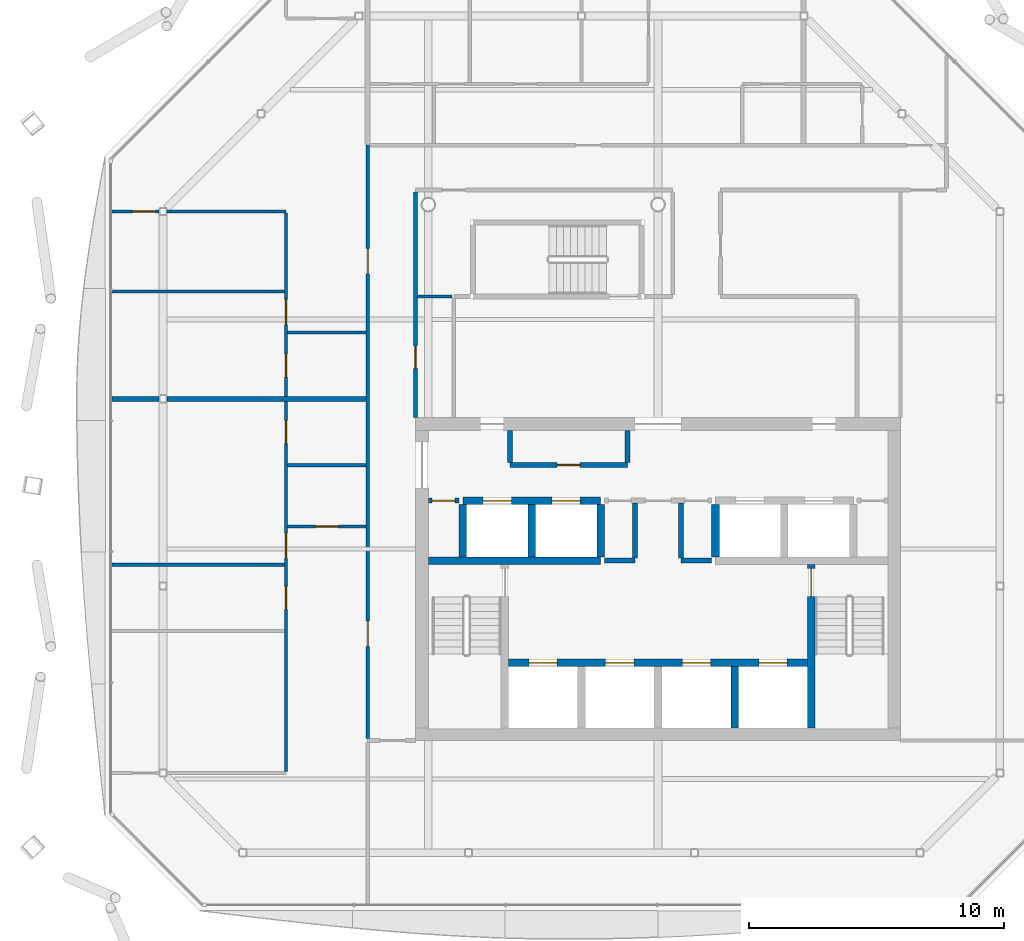
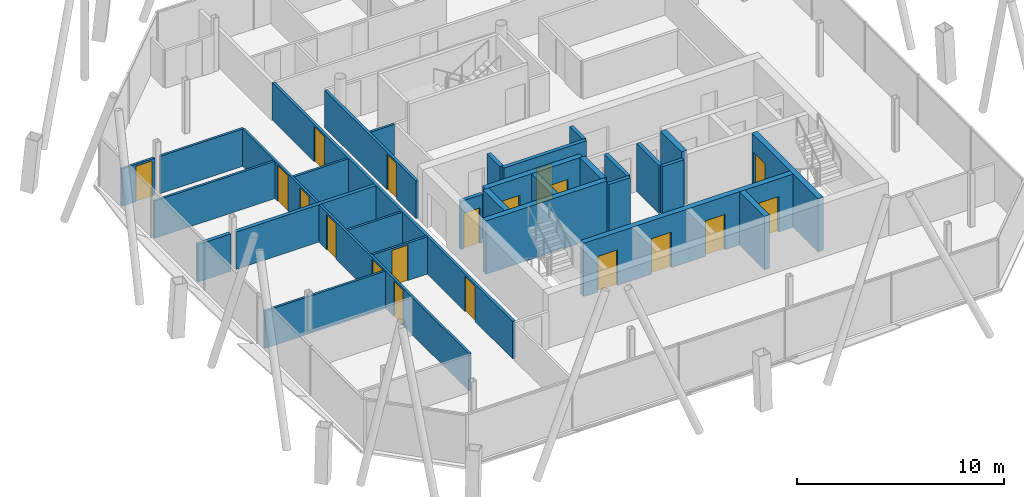
# One storey, part 12 of 17: 30 walls, 19 doors, 19 openings.
"""IFC4 building model written with IfcOpenShell, lengths in metres."""

from ifc_helpers import new_model, si_unit, direction, frame, frame_2d, origin, place, context, subcontext, project, spatial, rectangle, extrude, material, layer, layer_set, type_object, element, fill, save


model = new_model("IFC4")

# Units and contexts
model_context = context("Model", 3, precision=1e-05, world=origin(), true_north=direction((0.0, 1.0)))
body_context = subcontext(model_context, "Body", "Model", "MODEL_VIEW")
ifc_project = project(units=[si_unit("LENGTHUNIT", "METRE"), si_unit("AREAUNIT", "SQUARE_METRE"), si_unit("VOLUMEUNIT", "CUBIC_METRE"), si_unit("PLANEANGLEUNIT", "RADIAN"), si_unit("MASSUNIT", "GRAM", prefix="KILO")], contexts=[model_context])

# Site, building, storey
site_placement = place(None, origin())
site = spatial("IfcSite", under=ifc_project, at=site_placement, CompositionType="ELEMENT")
building_placement = place(site_placement, origin())
building = spatial("IfcBuilding", under=site, at=building_placement, Name="Tskaro Facet Tower", CompositionType="ELEMENT")
storey_placement = place(building_placement, frame((0.0, 0.0, 226.64990234375)))
storey = spatial("IfcBuildingStorey", under=building, at=storey_placement, Name="L58", CompositionType="ELEMENT", Elevation=226.64990234375)

# Wall, openings, doors
ifc_material_1 = material(Name="Concrete C60/75", Category="concrete")
ifc_layer_1 = layer(ifc_material_1, 0.300048828125, Name="Concrete C60/75")
ifc_layer_set_1 = layer_set([ifc_layer_1], Name="Concrete C60/75")
wall_type_1 = type_object("IfcWallType", Name="CORE-SHAFT", PredefinedType="SHEAR", material=ifc_layer_set_1)
wall_1_placement = place(storey_placement, frame((-5.85009765625, -8.949951171875, 0.0), z_axis=(0.0, 0.0, 1.0), x_axis=(1.0, 0.0, 0.0)))
wall_1 = element("IfcWall", 1, at=wall_1_placement, inside=storey, type_object=wall_type_1, Name="Shaft wall W005", PredefinedType="SHEAR", context=body_context, shape_type="SweptSolid", body=[
    extrude(rectangle(XDim=11.7001953125, YDim=0.300048828125, at=frame_2d((5.85009765625, 0.0))), origin(), (0.0, 0.0, 1.0), 3.150146484375),
])
opening_1_placement = place(wall_1_placement, frame((0.800048828125, 0.0, 0.0)))
opening_1 = element("IfcOpeningElement", 2, at=opening_1_placement, cuts=wall_1, Name="Opening LD-FF1", PredefinedType="OPENING", context=body_context, shape_type="SweptSolid", body=[
    extrude(rectangle(XDim=1.10009765625, YDim=2.10009765625, at=frame_2d((0.550048828125, 1.050048828125))), frame((0.0, 0.159912109375, 0.0), z_axis=(0.0, -1.0, 0.0), x_axis=(1.0, 0.0, 0.0)), (0.0, 0.0, 1.0), 0.320068359375),
])
opening_2_placement = place(wall_1_placement, frame((3.800048828125, 0.0, 0.0)))
opening_2 = element("IfcOpeningElement", 3, at=opening_2_placement, cuts=wall_1, Name="Opening LD-FF2", PredefinedType="OPENING", context=body_context, shape_type="SweptSolid", body=[
    extrude(rectangle(XDim=1.10009765625, YDim=2.10009765625, at=frame_2d((0.550048828125, 1.050048828125))), frame((0.0, 0.159912109375, 0.0), z_axis=(0.0, -1.0, 0.0), x_axis=(1.0, 0.0, 0.0)), (0.0, 0.0, 1.0), 0.320068359375),
])
opening_3_placement = place(wall_1_placement, frame((6.800048828125, 0.0, 0.0)))
opening_3 = element("IfcOpeningElement", 4, at=opening_3_placement, cuts=wall_1, Name="Opening LD-SV1", PredefinedType="OPENING", context=body_context, shape_type="SweptSolid", body=[
    extrude(rectangle(XDim=1.10009765625, YDim=2.10009765625, at=frame_2d((0.550048828125, 1.050048828125))), frame((0.0, 0.159912109375, 0.0), z_axis=(0.0, -1.0, 0.0), x_axis=(1.0, 0.0, 0.0)), (0.0, 0.0, 1.0), 0.320068359375),
])
opening_4_placement = place(wall_1_placement, frame((9.800048828125, 0.0, 0.0)))
opening_4 = element("IfcOpeningElement", 5, at=opening_4_placement, cuts=wall_1, Name="Opening LD-SV2", PredefinedType="OPENING", context=body_context, shape_type="SweptSolid", body=[
    extrude(rectangle(XDim=1.10009765625, YDim=2.10009765625, at=frame_2d((0.550048828125, 1.050048828125))), frame((0.0, 0.159912109375, 0.0), z_axis=(0.0, -1.0, 0.0), x_axis=(1.0, 0.0, 0.0)), (0.0, 0.0, 1.0), 0.320068359375),
])
ifc_material_2 = material(Name="Stainless steel", Category="steel")
door_type_1 = type_object("IfcDoorType", Name="D-LANDING", OperationType="NOTDEFINED", PredefinedType="DOOR", material=ifc_material_2)
door_1_placement = place(opening_1_placement, origin())
door_1 = element("IfcDoor", 6, at=door_1_placement, inside=storey, type_object=door_type_1, Name="Landing door FF1", OperationType="DOUBLE_DOOR_SLIDING", OverallHeight=2.10009765625, OverallWidth=1.10009765625, PredefinedType="DOOR", context=body_context, shape_type="SweptSolid", body=[
    extrude(rectangle(XDim=1.10009765625, YDim=2.10009765625, at=frame_2d((0.550048828125, 1.050048828125))), frame((0.0, 0.02490234375, 0.0), z_axis=(0.0, -1.0, 0.0), x_axis=(1.0, 0.0, 0.0)), (0.0, 0.0, 1.0), 0.050048828125),
])
fill(opening_1, door_1)
door_2_placement = place(opening_2_placement, origin())
door_2 = element("IfcDoor", 7, at=door_2_placement, inside=storey, type_object=door_type_1, Name="Landing door FF2", OperationType="DOUBLE_DOOR_SLIDING", OverallHeight=2.10009765625, OverallWidth=1.10009765625, PredefinedType="DOOR", context=body_context, shape_type="SweptSolid", body=[
    extrude(rectangle(XDim=1.10009765625, YDim=2.10009765625, at=frame_2d((0.550048828125, 1.050048828125))), frame((0.0, 0.02490234375, 0.0), z_axis=(0.0, -1.0, 0.0), x_axis=(1.0, 0.0, 0.0)), (0.0, 0.0, 1.0), 0.050048828125),
])
fill(opening_2, door_2)
door_3_placement = place(opening_3_placement, origin())
door_3 = element("IfcDoor", 8, at=door_3_placement, inside=storey, type_object=door_type_1, Name="Landing door SV1", OperationType="DOUBLE_DOOR_SLIDING", OverallHeight=2.10009765625, OverallWidth=1.10009765625, PredefinedType="DOOR", context=body_context, shape_type="SweptSolid", body=[
    extrude(rectangle(XDim=1.10009765625, YDim=2.10009765625, at=frame_2d((0.550048828125, 1.050048828125))), frame((0.0, 0.02490234375, 0.0), z_axis=(0.0, -1.0, 0.0), x_axis=(1.0, 0.0, 0.0)), (0.0, 0.0, 1.0), 0.050048828125),
])
fill(opening_3, door_3)
door_4_placement = place(opening_4_placement, origin())
door_4 = element("IfcDoor", 9, at=door_4_placement, inside=storey, type_object=door_type_1, Name="Landing door SV2", OperationType="DOUBLE_DOOR_SLIDING", OverallHeight=2.10009765625, OverallWidth=1.10009765625, PredefinedType="DOOR", context=body_context, shape_type="SweptSolid", body=[
    extrude(rectangle(XDim=1.10009765625, YDim=2.10009765625, at=frame_2d((0.550048828125, 1.050048828125))), frame((0.0, 0.02490234375, 0.0), z_axis=(0.0, -1.0, 0.0), x_axis=(1.0, 0.0, 0.0)), (0.0, 0.0, 1.0), 0.050048828125),
])
fill(opening_4, door_4)

# Wall
wall_2_placement = place(storey_placement, frame((-9.0, -4.949951171875, 0.0), z_axis=(0.0, 0.0, 1.0), x_axis=(1.0, 0.0, 0.0)))
element("IfcWall", 10, at=wall_2_placement, inside=storey, type_object=wall_type_1, Name="Shaft wall W008", PredefinedType="SHEAR", context=body_context, shape_type="SweptSolid", body=[
    extrude(rectangle(XDim=6.75, YDim=0.300048828125, at=frame_2d((3.375, 0.0))), origin(), (0.0, 0.0, 1.0), 3.150146484375),
])

# Wall, openings, doors
wall_3_placement = place(storey_placement, frame((-7.64990234375, -2.60009765625, 0.0), z_axis=(0.0, 0.0, 1.0), x_axis=(1.0, 0.0, 0.0)))
wall_3 = element("IfcWall", 11, at=wall_3_placement, inside=storey, type_object=wall_type_1, Name="Shaft wall W014", PredefinedType="SHEAR", context=body_context, shape_type="SweptSolid", body=[
    extrude(rectangle(XDim=5.39990234375, YDim=0.300048828125, at=frame_2d((2.699951171875, 0.0))), origin(), (0.0, 0.0, 1.0), 3.150146484375),
])
opening_5_placement = place(wall_3_placement, frame((0.800048828125, 0.0, 0.0)))
opening_5 = element("IfcOpeningElement", 12, at=opening_5_placement, cuts=wall_3, Name="Opening LD-HB1", PredefinedType="OPENING", context=body_context, shape_type="SweptSolid", body=[
    extrude(rectangle(XDim=1.10009765625, YDim=2.10009765625, at=frame_2d((0.550048828125, 1.050048828125))), frame((0.0, 0.159912109375, 0.0), z_axis=(0.0, -1.0, 0.0), x_axis=(1.0, 0.0, 0.0)), (0.0, 0.0, 1.0), 0.320068359375),
])
opening_6_placement = place(wall_3_placement, frame((3.5, 0.0, 0.0)))
opening_6 = element("IfcOpeningElement", 13, at=opening_6_placement, cuts=wall_3, Name="Opening LD-HB2", PredefinedType="OPENING", context=body_context, shape_type="SweptSolid", body=[
    extrude(rectangle(XDim=1.10009765625, YDim=2.10009765625, at=frame_2d((0.550048828125, 1.050048828125))), frame((0.0, 0.159912109375, 0.0), z_axis=(0.0, -1.0, 0.0), x_axis=(1.0, 0.0, 0.0)), (0.0, 0.0, 1.0), 0.320068359375),
])
door_5_placement = place(opening_5_placement, origin())
door_5 = element("IfcDoor", 14, at=door_5_placement, inside=storey, type_object=door_type_1, Name="Landing door HB1", OperationType="DOUBLE_DOOR_SLIDING", OverallHeight=2.10009765625, OverallWidth=1.10009765625, PredefinedType="DOOR", context=body_context, shape_type="SweptSolid", body=[
    extrude(rectangle(XDim=1.10009765625, YDim=2.10009765625, at=frame_2d((0.550048828125, 1.050048828125))), frame((0.0, 0.02490234375, 0.0), z_axis=(0.0, -1.0, 0.0), x_axis=(1.0, 0.0, 0.0)), (0.0, 0.0, 1.0), 0.050048828125),
])
fill(opening_5, door_5)
door_6_placement = place(opening_6_placement, origin())
door_6 = element("IfcDoor", 15, at=door_6_placement, inside=storey, type_object=door_type_1, Name="Landing door HB2", OperationType="DOUBLE_DOOR_SLIDING", OverallHeight=2.10009765625, OverallWidth=1.10009765625, PredefinedType="DOOR", context=body_context, shape_type="SweptSolid", body=[
    extrude(rectangle(XDim=1.10009765625, YDim=2.10009765625, at=frame_2d((0.550048828125, 1.050048828125))), frame((0.0, 0.02490234375, 0.0), z_axis=(0.0, -1.0, 0.0), x_axis=(1.0, 0.0, 0.0)), (0.0, 0.0, 1.0), 0.050048828125),
])
fill(opening_6, door_6)

# Walls
for number, where, z_axis, x_axis, name in (
    (16, (-7.64990234375, -4.800048828125, 0.0), (0.0, 0.0, 1.0), (0.0, 1.0, 0.0), "Shaft wall W046"),
    (17, (-4.949951171875, -4.800048828125, 0.0), (0.0, 0.0, 1.0), (0.0, 1.0, 0.0), "Shaft wall W051"),
    (18, (-2.25, -4.800048828125, 0.0), (0.0, 0.0, 1.0), (0.0, 1.0, 0.0), "Shaft wall W055"),
    (19, (2.25, -4.800048828125, 0.0), (0.0, 0.0, 1.0), (0.0, 1.0, 0.0), "Shaft wall W063"),
):
    element("IfcWall", number, at=place(storey_placement, frame(where, z_axis=z_axis, x_axis=x_axis)), inside=storey, type_object=wall_type_1, Name=name, PredefinedType="SHEAR", context=body_context, shape_type="SweptSolid", body=[
        extrude(rectangle(XDim=2.050048828125, YDim=0.300048828125, at=frame_2d((1.02490234375, 0.0))), origin(), (0.0, 0.0, 1.0), 3.150146484375),
    ])
wall_4_placement = place(storey_placement, frame((3.0, -11.5, 0.0), z_axis=(0.0, 0.0, 1.0), x_axis=(0.0, 1.0, 0.0)))
element("IfcWall", 20, at=wall_4_placement, inside=storey, type_object=wall_type_1, Name="Shaft wall W065", PredefinedType="SHEAR", context=body_context, shape_type="SweptSolid", body=[
    extrude(rectangle(XDim=2.39990234375, YDim=0.300048828125, at=frame_2d((1.199951171875, 0.0))), origin(), (0.0, 0.0, 1.0), 3.150146484375),
])

# Wall, opening, door
wall_5_placement = place(storey_placement, frame((6.0, -5.10009765625, 0.0), z_axis=(0.0, 0.0, 1.0), x_axis=(0.0, -1.0, 0.0)))
wall_5 = element("IfcWall", 21, at=wall_5_placement, inside=storey, type_object=wall_type_1, Name="Shaft wall W070", PredefinedType="SHEAR", context=body_context, shape_type="SweptSolid", body=[
    extrude(rectangle(XDim=6.39990234375, YDim=0.300048828125, at=frame_2d((3.199951171875, 0.0))), origin(), (0.0, 0.0, 1.0), 3.150146484375),
])
opening_7_placement = place(wall_5_placement, frame((0.14990234375, 0.0, 0.0)))
opening_7 = element("IfcOpeningElement", 22, at=opening_7_placement, cuts=wall_5, Name="Opening ST-2-D1", PredefinedType="OPENING", context=body_context, shape_type="SweptSolid", body=[
    extrude(rectangle(XDim=1.10009765625, YDim=2.10009765625, at=frame_2d((0.550048828125, 1.050048828125))), frame((0.0, 0.159912109375, 0.0), z_axis=(0.0, -1.0, 0.0), x_axis=(1.0, 0.0, 0.0)), (0.0, 0.0, 1.0), 0.320068359375),
])
ifc_material_3 = material(Name="Steel", Category="steel")
door_type_2 = type_object("IfcDoorType", Name="D-STAIR", OperationType="NOTDEFINED", PredefinedType="DOOR", material=ifc_material_3)
door_7_placement = place(opening_7_placement, origin())
door_7 = element("IfcDoor", 23, at=door_7_placement, inside=storey, type_object=door_type_2, Name="Stair door 2", OperationType="SINGLE_SWING_RIGHT", OverallHeight=2.10009765625, OverallWidth=1.10009765625, PredefinedType="DOOR", context=body_context, shape_type="SweptSolid", body=[
    extrude(rectangle(XDim=1.10009765625, YDim=2.10009765625, at=frame_2d((0.550048828125, 1.050048828125))), frame((0.0, 0.02490234375, 0.0), z_axis=(0.0, -1.0, 0.0), x_axis=(1.0, 0.0, 0.0)), (0.0, 0.0, 1.0), 0.050048828125),
])
fill(opening_7, door_7)

# Walls
ifc_material_4 = material(Name="Concrete C20/25", Category="concrete")
ifc_layer_2 = layer(ifc_material_4, 0.199951171875, Name="Concrete C20/25")
ifc_layer_set_2 = layer_set([ifc_layer_2], Name="Concrete C20/25")
wall_type_2 = type_object("IfcWallType", Name="CORE-WALL", PredefinedType="SOLIDWALL", material=ifc_layer_set_2)
for number, where, z_axis, x_axis, name in (
    (24, (-2.10009765625, -4.949951171875, 0.0), (0.0, 0.0, 1.0), (1.0, 0.0, 0.0), "Core room wall W009"),
    (25, (0.89990234375, -4.949951171875, 0.0), (0.0, 0.0, 1.0), (1.0, 0.0, 0.0), "Core room wall W010"),
):
    element("IfcWall", number, at=place(storey_placement, frame(where, z_axis=z_axis, x_axis=x_axis)), inside=storey, type_object=wall_type_2, Name=name, PredefinedType="SOLIDWALL", context=body_context, shape_type="SweptSolid", body=[
        extrude(rectangle(XDim=1.2001953125, YDim=0.199951171875, at=frame_2d((0.60009765625, 0.0))), origin(), (0.0, 0.0, 1.0), 2.85009765625),
    ])

# Wall, opening, door
wall_6_placement = place(storey_placement, frame((-7.800048828125, -2.60009765625, 0.0), z_axis=(0.0, 0.0, 1.0), x_axis=(-1.0, 0.0, 0.0)))
wall_6 = element("IfcWall", 26, at=wall_6_placement, inside=storey, type_object=wall_type_2, Name="Core room wall W013", PredefinedType="SOLIDWALL", context=body_context, shape_type="SweptSolid", body=[
    extrude(rectangle(XDim=1.199951171875, YDim=0.199951171875, at=frame_2d((0.60009765625, 0.0))), origin(), (0.0, 0.0, 1.0), 2.85009765625),
])
opening_8_placement = place(wall_6_placement, frame((0.14990234375, 0.0, 0.0)))
opening_8 = element("IfcOpeningElement", 27, at=opening_8_placement, cuts=wall_6, Name="Opening T17-D07", PredefinedType="OPENING", context=body_context, shape_type="SweptSolid", body=[
    extrude(rectangle(XDim=0.89990234375, YDim=2.10009765625, at=frame_2d((0.449951171875, 1.050048828125))), frame((0.0, 0.10986328125, 0.0), z_axis=(0.0, -1.0, 0.0), x_axis=(1.0, 0.0, 0.0)), (0.0, 0.0, 1.0), 0.219970703125),
])
ifc_material_5 = material(Name="Timber", Category="wood")
door_type_3 = type_object("IfcDoorType", Name="D-ROOM", OperationType="NOTDEFINED", PredefinedType="DOOR", material=ifc_material_5)
door_8_placement = place(opening_8_placement, origin())
door_8 = element("IfcDoor", 28, at=door_8_placement, inside=storey, type_object=door_type_3, Name="Door T17-D07", OperationType="SINGLE_SWING_RIGHT", OverallHeight=2.10009765625, OverallWidth=0.89990234375, PredefinedType="DOOR", context=body_context, shape_type="SweptSolid", body=[
    extrude(rectangle(XDim=0.89990234375, YDim=2.10009765625, at=frame_2d((0.449951171875, 1.050048828125))), frame((0.0, 0.02490234375, 0.0), z_axis=(0.0, -1.0, 0.0), x_axis=(1.0, 0.0, 0.0)), (0.0, 0.0, 1.0), 0.050048828125),
])
fill(opening_8, door_8)

wall_7_placement = place(storey_placement, frame((-5.800048828125, -1.199951171875, 0.0), z_axis=(0.0, 0.0, 1.0), x_axis=(1.0, 0.0, 0.0)))
wall_7 = element("IfcWall", 29, at=wall_7_placement, inside=storey, type_object=wall_type_2, Name="Core room wall W019", PredefinedType="SOLIDWALL", context=body_context, shape_type="SweptSolid", body=[
    extrude(rectangle(XDim=4.60009765625, YDim=0.199951171875, at=frame_2d((2.300048828125, 0.0))), origin(), (0.0, 0.0, 1.0), 2.85009765625),
])
opening_9_placement = place(wall_7_placement, frame((1.85009765625, 0.0, 0.0)))
opening_9 = element("IfcOpeningElement", 30, at=opening_9_placement, cuts=wall_7, Name="Opening T17-D12", PredefinedType="OPENING", context=body_context, shape_type="SweptSolid", body=[
    extrude(rectangle(XDim=0.89990234375, YDim=2.10009765625, at=frame_2d((0.449951171875, 1.050048828125))), frame((0.0, 0.10986328125, 0.0), z_axis=(0.0, -1.0, 0.0), x_axis=(1.0, 0.0, 0.0)), (0.0, 0.0, 1.0), 0.219970703125),
])
door_9_placement = place(opening_9_placement, origin())
door_9 = element("IfcDoor", 31, at=door_9_placement, inside=storey, type_object=door_type_3, Name="Door T17-D12", OperationType="SINGLE_SWING_LEFT", OverallHeight=2.10009765625, OverallWidth=0.89990234375, PredefinedType="DOOR", context=body_context, shape_type="SweptSolid", body=[
    extrude(rectangle(XDim=0.89990234375, YDim=2.10009765625, at=frame_2d((0.449951171875, 1.050048828125))), frame((0.0, 0.02490234375, 0.0), z_axis=(0.0, -1.0, 0.0), x_axis=(1.0, 0.0, 0.0)), (0.0, 0.0, 1.0), 0.050048828125),
])
fill(opening_9, door_9)

# Walls
for number, where, z_axis, x_axis, name in (
    (32, (-5.800048828125, -1.10009765625, 0.0), (0.0, 0.0, 1.0), (0.0, 1.0, 0.0), "Core room wall W050"),
    (33, (-1.199951171875, -1.10009765625, 0.0), (0.0, 0.0, 1.0), (0.0, 1.0, 0.0), "Core room wall W056"),
):
    element("IfcWall", number, at=place(storey_placement, frame(where, z_axis=z_axis, x_axis=x_axis)), inside=storey, type_object=wall_type_2, Name=name, PredefinedType="SOLIDWALL", context=body_context, shape_type="SweptSolid", body=[
        extrude(rectangle(XDim=1.25, YDim=0.199951171875, at=frame_2d((0.625, 0.0))), origin(), (0.0, 0.0, 1.0), 2.85009765625),
    ])
for number, where, z_axis, x_axis, name in (
    (34, (-0.89990234375, -4.85009765625, 0.0), (0.0, 0.0, 1.0), (0.0, 1.0, 0.0), "Core room wall W057"),
    (35, (0.89990234375, -4.85009765625, 0.0), (0.0, 0.0, 1.0), (0.0, 1.0, 0.0), "Core room wall W062"),
):
    element("IfcWall", number, at=place(storey_placement, frame(where, z_axis=z_axis, x_axis=x_axis)), inside=storey, type_object=wall_type_2, Name=name, PredefinedType="SOLIDWALL", context=body_context, shape_type="SweptSolid", body=[
        extrude(rectangle(XDim=2.150146484375, YDim=0.199951171875, at=frame_2d((1.0751953125, 0.0))), origin(), (0.0, 0.0, 1.0), 2.85009765625),
    ])
ifc_material_6 = material(Name="Gypsum board on steel studs", Category="steel")
ifc_layer_3 = layer(ifc_material_6, 0.125, Name="Gypsum board on steel studs")
ifc_layer_set_3 = layer_set([ifc_layer_3], Name="Gypsum board on steel studs")
wall_type_3 = type_object("IfcWallType", Name="PART", PredefinedType="PARTITIONING", material=ifc_layer_set_3)
wall_8_placement = place(storey_placement, frame((-21.385009765625, -5.110107421875, 0.0), z_axis=(0.0, 0.0, 1.0), x_axis=(1.0, 0.0, 0.0)))
element("IfcWall", 36, at=wall_8_placement, inside=storey, type_object=wall_type_3, Name="Partition W007", PredefinedType="PARTITIONING", context=body_context, shape_type="SweptSolid", body=[
    extrude(rectangle(XDim=6.74755859375, YDim=0.125, at=frame_2d((3.373779296875, 0.0))), origin(), (0.0, 0.0, 1.0), 2.210205078125),
])

# Wall, opening, door
wall_9_placement = place(storey_placement, frame((-14.512451171875, -3.610107421875, 0.0), z_axis=(0.0, 0.0, 1.0), x_axis=(1.0, 0.0, 0.0)))
wall_9 = element("IfcWall", 37, at=wall_9_placement, inside=storey, type_object=wall_type_3, Name="Partition W012", PredefinedType="PARTITIONING", context=body_context, shape_type="SweptSolid", body=[
    extrude(rectangle(XDim=3.0625, YDim=0.125, at=frame_2d((1.53125, 0.0))), origin(), (0.0, 0.0, 1.0), 2.210205078125),
])
opening_10_placement = place(wall_9_placement, frame((1.08740234375, 0.0, 0.0)))
opening_10 = element("IfcOpeningElement", 38, at=opening_10_placement, cuts=wall_9, Name="Opening T17-D06", PredefinedType="OPENING", context=body_context, shape_type="SweptSolid", body=[
    extrude(rectangle(XDim=0.89990234375, YDim=2.10009765625, at=frame_2d((0.449951171875, 1.050048828125))), frame((0.0, 0.072509765625, 0.0), z_axis=(0.0, -1.0, 0.0), x_axis=(1.0, 0.0, 0.0)), (0.0, 0.0, 1.0), 0.14501953125),
])
door_10_placement = place(opening_10_placement, origin())
door_10 = element("IfcDoor", 39, at=door_10_placement, inside=storey, type_object=door_type_3, Name="Door T17-D06", OperationType="SINGLE_SWING_LEFT", OverallHeight=2.10009765625, OverallWidth=0.89990234375, PredefinedType="DOOR", context=body_context, shape_type="SweptSolid", body=[
    extrude(rectangle(XDim=0.89990234375, YDim=2.10009765625, at=frame_2d((0.449951171875, 1.050048828125))), frame((0.0, 0.02490234375, 0.0), z_axis=(0.0, -1.0, 0.0), x_axis=(1.0, 0.0, 0.0)), (0.0, 0.0, 1.0), 0.050048828125),
])
fill(opening_10, door_10)

# Walls
for number, where, z_axis, x_axis, name in (
    (40, (-14.512451171875, -1.2099609375, 0.0), (0.0, 0.0, 1.0), (1.0, 0.0, 0.0), "Partition W018"),
    (41, (-14.512451171875, 3.989990234375, 0.0), (0.0, 0.0, 1.0), (1.0, 0.0, 0.0), "Partition W022"),
):
    element("IfcWall", number, at=place(storey_placement, frame(where, z_axis=z_axis, x_axis=x_axis)), inside=storey, type_object=wall_type_3, Name=name, PredefinedType="PARTITIONING", context=body_context, shape_type="SweptSolid", body=[
        extrude(rectangle(XDim=3.0625, YDim=0.125, at=frame_2d((1.53125, 0.0))), origin(), (0.0, 0.0, 1.0), 2.210205078125),
    ])
wall_10_placement = place(storey_placement, frame((-9.425048828125, 5.39990234375, 0.0), z_axis=(0.0, 0.0, 1.0), x_axis=(1.0, 0.0, 0.0)))
element("IfcWall", 42, at=wall_10_placement, inside=storey, type_object=wall_type_3, Name="Partition W023", PredefinedType="PARTITIONING", context=body_context, shape_type="SweptSolid", body=[
    extrude(rectangle(XDim=1.35009765625, YDim=0.125, at=frame_2d((0.675048828125, 0.0))), origin(), (0.0, 0.0, 1.0), 2.210205078125),
])
wall_11_placement = place(storey_placement, frame((-21.385009765625, 5.590087890625, 0.0), z_axis=(0.0, 0.0, 1.0), x_axis=(1.0, 0.0, 0.0)))
element("IfcWall", 43, at=wall_11_placement, inside=storey, type_object=wall_type_3, Name="Partition W028", PredefinedType="PARTITIONING", context=body_context, shape_type="SweptSolid", body=[
    extrude(rectangle(XDim=6.74755859375, YDim=0.125, at=frame_2d((3.373779296875, 0.0))), origin(), (0.0, 0.0, 1.0), 2.210205078125),
])

# Wall, opening, door
wall_12_placement = place(storey_placement, frame((-19.541015625, 8.72509765625, 0.0), z_axis=(0.0, 0.0, 1.0), x_axis=(-1.0, 0.0, 0.0)))
wall_12 = element("IfcWall", 44, at=wall_12_placement, inside=storey, type_object=wall_type_3, Name="Partition W030", PredefinedType="PARTITIONING", context=body_context, shape_type="SweptSolid", body=[
    extrude(rectangle(XDim=1.843994140625, YDim=0.125, at=frame_2d((0.921875, 0.0))), origin(), (0.0, 0.0, 1.0), 2.210205078125),
])
opening_11_placement = place(wall_12_placement, frame((0.14990234375, 0.0, 0.0)))
opening_11 = element("IfcOpeningElement", 45, at=opening_11_placement, cuts=wall_12, Name="Opening T17-D22", PredefinedType="OPENING", context=body_context, shape_type="SweptSolid", body=[
    extrude(rectangle(XDim=0.89990234375, YDim=2.10009765625, at=frame_2d((0.449951171875, 1.050048828125))), frame((0.0, 0.072509765625, 0.0), z_axis=(0.0, -1.0, 0.0), x_axis=(1.0, 0.0, 0.0)), (0.0, 0.0, 1.0), 0.14501953125),
])
door_11_placement = place(opening_11_placement, origin())
door_11 = element("IfcDoor", 46, at=door_11_placement, inside=storey, type_object=door_type_3, Name="Door T17-D22", OperationType="SINGLE_SWING_RIGHT", OverallHeight=2.10009765625, OverallWidth=0.89990234375, PredefinedType="DOOR", context=body_context, shape_type="SweptSolid", body=[
    extrude(rectangle(XDim=0.89990234375, YDim=2.10009765625, at=frame_2d((0.449951171875, 1.050048828125))), frame((0.0, 0.02490234375, 0.0), z_axis=(0.0, -1.0, 0.0), x_axis=(1.0, 0.0, 0.0)), (0.0, 0.0, 1.0), 0.050048828125),
])
fill(opening_11, door_11)

# Wall
wall_13_placement = place(storey_placement, frame((-19.240966796875, 8.72509765625, 0.0), z_axis=(0.0, 0.0, 1.0), x_axis=(1.0, 0.0, 0.0)))
element("IfcWall", 47, at=wall_13_placement, inside=storey, type_object=wall_type_3, Name="Partition W031", PredefinedType="PARTITIONING", context=body_context, shape_type="SweptSolid", body=[
    extrude(rectangle(XDim=4.666015625, YDim=0.125, at=frame_2d((2.3330078125, 0.0))), origin(), (0.0, 0.0, 1.0), 2.210205078125),
])

# Wall, openings, doors
wall_14_placement = place(storey_placement, frame((-14.574951171875, -13.20751953125, 0.0), z_axis=(0.0, 0.0, 1.0), x_axis=(0.0, 1.0, 0.0)))
wall_14 = element("IfcWall", 48, at=wall_14_placement, inside=storey, type_object=wall_type_3, Name="Partition W038", PredefinedType="PARTITIONING", context=body_context, shape_type="SweptSolid", body=[
    extrude(rectangle(XDim=21.8701171875, YDim=0.125, at=frame_2d((10.93505859375, 0.0))), origin(), (0.0, 0.0, 1.0), 2.210205078125),
])
opening_12_placement = place(wall_14_placement, frame((6.347412109375, 0.0, 0.0)))
opening_12 = element("IfcOpeningElement", 49, at=opening_12_placement, cuts=wall_14, Name="Opening T17-D04", PredefinedType="OPENING", context=body_context, shape_type="SweptSolid", body=[
    extrude(rectangle(XDim=0.89990234375, YDim=2.10009765625, at=frame_2d((0.449951171875, 1.050048828125))), frame((0.0, 0.072509765625, 0.0), z_axis=(0.0, -1.0, 0.0), x_axis=(1.0, 0.0, 0.0)), (0.0, 0.0, 1.0), 0.14501953125),
])
opening_13_placement = place(wall_14_placement, frame((8.347412109375, 0.0, 0.0)))
opening_13 = element("IfcOpeningElement", 50, at=opening_13_placement, cuts=wall_14, Name="Opening T17-D05", PredefinedType="OPENING", context=body_context, shape_type="SweptSolid", body=[
    extrude(rectangle(XDim=1.0, YDim=2.10009765625, at=frame_2d((0.5, 1.050048828125))), frame((0.0, 0.072509765625, 0.0), z_axis=(0.0, -1.0, 0.0), x_axis=(1.0, 0.0, 0.0)), (0.0, 0.0, 1.0), 0.14501953125),
])
opening_14_placement = place(wall_14_placement, frame((12.847412109375, 0.0, 0.0)))
opening_14 = element("IfcOpeningElement", 51, at=opening_14_placement, cuts=wall_14, Name="Opening T17-D13", PredefinedType="OPENING", context=body_context, shape_type="SweptSolid", body=[
    extrude(rectangle(XDim=0.89990234375, YDim=2.10009765625, at=frame_2d((0.449951171875, 1.050048828125))), frame((0.0, 0.072509765625, 0.0), z_axis=(0.0, -1.0, 0.0), x_axis=(1.0, 0.0, 0.0)), (0.0, 0.0, 1.0), 0.14501953125),
])
opening_15_placement = place(wall_14_placement, frame((17.49755859375, 0.0, 0.0)))
opening_15 = element("IfcOpeningElement", 52, at=opening_15_placement, cuts=wall_14, Name="Opening T17-D19", PredefinedType="OPENING", context=body_context, shape_type="SweptSolid", body=[
    extrude(rectangle(XDim=1.0, YDim=2.10009765625, at=frame_2d((0.5, 1.050048828125))), frame((0.0, 0.072509765625, 0.0), z_axis=(0.0, -1.0, 0.0), x_axis=(1.0, 0.0, 0.0)), (0.0, 0.0, 1.0), 0.14501953125),
])
opening_16_placement = place(wall_14_placement, frame((15.447509765625, 0.0, 0.0)))
opening_16 = element("IfcOpeningElement", 53, at=opening_16_placement, cuts=wall_14, Name="Opening T17-D17", PredefinedType="OPENING", context=body_context, shape_type="SweptSolid", body=[
    extrude(rectangle(XDim=0.89990234375, YDim=2.10009765625, at=frame_2d((0.449951171875, 1.050048828125))), frame((0.0, 0.072509765625, 0.0), z_axis=(0.0, -1.0, 0.0), x_axis=(1.0, 0.0, 0.0)), (0.0, 0.0, 1.0), 0.14501953125),
])
door_12_placement = place(opening_12_placement, origin())
door_12 = element("IfcDoor", 54, at=door_12_placement, inside=storey, type_object=door_type_3, Name="Door T17-D04", OperationType="SINGLE_SWING_LEFT", OverallHeight=2.10009765625, OverallWidth=0.89990234375, PredefinedType="DOOR", context=body_context, shape_type="SweptSolid", body=[
    extrude(rectangle(XDim=0.89990234375, YDim=2.10009765625, at=frame_2d((0.449951171875, 1.050048828125))), frame((0.0, 0.02490234375, 0.0), z_axis=(0.0, -1.0, 0.0), x_axis=(1.0, 0.0, 0.0)), (0.0, 0.0, 1.0), 0.050048828125),
])
fill(opening_12, door_12)
door_13_placement = place(opening_14_placement, origin())
door_13 = element("IfcDoor", 55, at=door_13_placement, inside=storey, type_object=door_type_3, Name="Door T17-D13", OperationType="SINGLE_SWING_LEFT", OverallHeight=2.10009765625, OverallWidth=0.89990234375, PredefinedType="DOOR", context=body_context, shape_type="SweptSolid", body=[
    extrude(rectangle(XDim=0.89990234375, YDim=2.10009765625, at=frame_2d((0.449951171875, 1.050048828125))), frame((0.0, 0.02490234375, 0.0), z_axis=(0.0, -1.0, 0.0), x_axis=(1.0, 0.0, 0.0)), (0.0, 0.0, 1.0), 0.050048828125),
])
fill(opening_14, door_13)
door_14_placement = place(opening_16_placement, origin())
door_14 = element("IfcDoor", 56, at=door_14_placement, inside=storey, type_object=door_type_3, Name="Door T17-D17", OperationType="SINGLE_SWING_LEFT", OverallHeight=2.10009765625, OverallWidth=0.89990234375, PredefinedType="DOOR", context=body_context, shape_type="SweptSolid", body=[
    extrude(rectangle(XDim=0.89990234375, YDim=2.10009765625, at=frame_2d((0.449951171875, 1.050048828125))), frame((0.0, 0.02490234375, 0.0), z_axis=(0.0, -1.0, 0.0), x_axis=(1.0, 0.0, 0.0)), (0.0, 0.0, 1.0), 0.050048828125),
])
fill(opening_16, door_14)
door_type_4 = type_object("IfcDoorType", Name="D-ROOM-WIDE", OperationType="NOTDEFINED", PredefinedType="DOOR", material=ifc_material_5)
door_15_placement = place(opening_13_placement, origin())
door_15 = element("IfcDoor", 57, at=door_15_placement, inside=storey, type_object=door_type_4, Name="Door T17-D05", OperationType="SINGLE_SWING_LEFT", OverallHeight=2.10009765625, OverallWidth=1.0, PredefinedType="DOOR", context=body_context, shape_type="SweptSolid", body=[
    extrude(rectangle(XDim=1.0, YDim=2.10009765625, at=frame_2d((0.5, 1.050048828125))), frame((0.0, 0.02490234375, 0.0), z_axis=(0.0, -1.0, 0.0), x_axis=(1.0, 0.0, 0.0)), (0.0, 0.0, 1.0), 0.050048828125),
])
fill(opening_13, door_15)
door_16_placement = place(opening_15_placement, origin())
door_16 = element("IfcDoor", 58, at=door_16_placement, inside=storey, type_object=door_type_4, Name="Door T17-D19", OperationType="SINGLE_SWING_LEFT", OverallHeight=2.10009765625, OverallWidth=1.0, PredefinedType="DOOR", context=body_context, shape_type="SweptSolid", body=[
    extrude(rectangle(XDim=1.0, YDim=2.10009765625, at=frame_2d((0.5, 1.050048828125))), frame((0.0, 0.02490234375, 0.0), z_axis=(0.0, -1.0, 0.0), x_axis=(1.0, 0.0, 0.0)), (0.0, 0.0, 1.0), 0.050048828125),
])
fill(opening_15, door_16)

ifc_layer_4 = layer(ifc_material_6, 0.14990234375, Name="Gypsum board on steel studs")
ifc_layer_set_4 = layer_set([ifc_layer_4], Name="Gypsum board on steel studs")
wall_type_4 = type_object("IfcWallType", Name="PART-CORR", PredefinedType="PARTITIONING", material=ifc_layer_set_4)
wall_15_placement = place(storey_placement, frame((-11.375, -11.925048828125, 0.0), z_axis=(0.0, 0.0, 1.0), x_axis=(0.0, 1.0, 0.0)))
wall_15 = element("IfcWall", 59, at=wall_15_placement, inside=storey, type_object=wall_type_4, Name="Corridor wall W041", PredefinedType="PARTITIONING", context=body_context, shape_type="SweptSolid", body=[
    extrude(rectangle(XDim=23.25, YDim=0.14990234375, at=frame_2d((11.625, 0.0))), origin(), (0.0, 0.0, 1.0), 2.210205078125),
])
opening_17_placement = place(wall_15_placement, frame((3.6201171875, 0.0, 0.0)))
opening_17 = element("IfcOpeningElement", 60, at=opening_17_placement, cuts=wall_15, Name="Opening T17-D03", PredefinedType="OPENING", context=body_context, shape_type="SweptSolid", body=[
    extrude(rectangle(XDim=1.0, YDim=2.10009765625, at=frame_2d((0.5, 1.050048828125))), frame((0.0, 0.0849609375, 0.0), z_axis=(0.0, -1.0, 0.0), x_axis=(1.0, 0.0, 0.0)), (0.0, 0.0, 1.0), 0.169921875),
])
opening_18_placement = place(wall_15_placement, frame((18.20751953125, 0.0, 0.0)))
opening_18 = element("IfcOpeningElement", 61, at=opening_18_placement, cuts=wall_15, Name="Opening T17-D20", PredefinedType="OPENING", context=body_context, shape_type="SweptSolid", body=[
    extrude(rectangle(XDim=1.0, YDim=2.10009765625, at=frame_2d((0.5, 1.050048828125))), frame((0.0, 0.0849609375, 0.0), z_axis=(0.0, -1.0, 0.0), x_axis=(1.0, 0.0, 0.0)), (0.0, 0.0, 1.0), 0.169921875),
])
door_type_5 = type_object("IfcDoorType", Name="D-FLAT-ENTRY", OperationType="NOTDEFINED", PredefinedType="DOOR", material=ifc_material_5)
door_17_placement = place(opening_17_placement, origin())
door_17 = element("IfcDoor", 62, at=door_17_placement, inside=storey, type_object=door_type_5, Name="Door T17-D03", OperationType="SINGLE_SWING_LEFT", OverallHeight=2.10009765625, OverallWidth=1.0, PredefinedType="DOOR", context=body_context, shape_type="SweptSolid", body=[
    extrude(rectangle(XDim=1.0, YDim=2.10009765625, at=frame_2d((0.5, 1.050048828125))), frame((0.0, 0.02490234375, 0.0), z_axis=(0.0, -1.0, 0.0), x_axis=(1.0, 0.0, 0.0)), (0.0, 0.0, 1.0), 0.050048828125),
])
fill(opening_17, door_17)
door_18_placement = place(opening_18_placement, origin())
door_18 = element("IfcDoor", 63, at=door_18_placement, inside=storey, type_object=door_type_5, Name="Door T17-D20", OperationType="SINGLE_SWING_LEFT", OverallHeight=2.10009765625, OverallWidth=1.0, PredefinedType="DOOR", context=body_context, shape_type="SweptSolid", body=[
    extrude(rectangle(XDim=1.0, YDim=2.10009765625, at=frame_2d((0.5, 1.050048828125))), frame((0.0, 0.02490234375, 0.0), z_axis=(0.0, -1.0, 0.0), x_axis=(1.0, 0.0, 0.0)), (0.0, 0.0, 1.0), 0.050048828125),
])
fill(opening_18, door_18)

# Wall, opening, door
wall_16_placement = place(storey_placement, frame((-9.5, 9.5, 0.0), z_axis=(0.0, 0.0, 1.0), x_axis=(0.0, -1.0, 0.0)))
wall_16 = element("IfcWall", 64, at=wall_16_placement, inside=storey, type_object=wall_type_4, Name="Corridor wall W043", PredefinedType="PARTITIONING", context=body_context, shape_type="SweptSolid", body=[
    extrude(rectangle(XDim=8.85009765625, YDim=0.14990234375, at=frame_2d((4.425048828125, 0.0))), origin(), (0.0, 0.0, 1.0), 2.210205078125),
])
opening_19_placement = place(wall_16_placement, frame((6.02490234375, 0.0, 0.0)))
opening_19 = element("IfcOpeningElement", 65, at=opening_19_placement, cuts=wall_16, Name="Opening T17-D18", PredefinedType="OPENING", context=body_context, shape_type="SweptSolid", body=[
    extrude(rectangle(XDim=0.89990234375, YDim=2.10009765625, at=frame_2d((0.449951171875, 1.050048828125))), frame((0.0, 0.0849609375, 0.0), z_axis=(0.0, -1.0, 0.0), x_axis=(1.0, 0.0, 0.0)), (0.0, 0.0, 1.0), 0.169921875),
])
door_19_placement = place(opening_19_placement, origin())
door_19 = element("IfcDoor", 66, at=door_19_placement, inside=storey, type_object=door_type_3, Name="Door T17-D18", OperationType="SINGLE_SWING_RIGHT", OverallHeight=2.10009765625, OverallWidth=0.89990234375, PredefinedType="DOOR", context=body_context, shape_type="SweptSolid", body=[
    extrude(rectangle(XDim=0.89990234375, YDim=2.10009765625, at=frame_2d((0.449951171875, 1.050048828125))), frame((0.0, 0.02490234375, 0.0), z_axis=(0.0, -1.0, 0.0), x_axis=(1.0, 0.0, 0.0)), (0.0, 0.0, 1.0), 0.050048828125),
])
fill(opening_19, door_19)

# Walls
ifc_layer_5 = layer(ifc_material_6, 0.199951171875, Name="Gypsum board on steel studs")
ifc_layer_set_5 = layer_set([ifc_layer_5], Name="Gypsum board on steel studs")
wall_type_5 = type_object("IfcWallType", Name="PART-DEMISING", PredefinedType="PARTITIONING", material=ifc_layer_set_5)
wall_17_placement = place(storey_placement, frame((-21.385009765625, 1.389892578125, 0.0), z_axis=(0.0, 0.0, 1.0), x_axis=(1.0, 0.0, 0.0)))
element("IfcWall", 67, at=wall_17_placement, inside=storey, type_object=wall_type_5, Name="Guest room wall W020", PredefinedType="PARTITIONING", context=body_context, shape_type="SweptSolid", body=[
    extrude(rectangle(XDim=1.843994140625, YDim=0.199951171875, at=frame_2d((0.921875, 0.0))), origin(), (0.0, 0.0, 1.0), 2.210205078125),
])
wall_18_placement = place(storey_placement, frame((-19.240966796875, 1.389892578125, 0.0), z_axis=(0.0, 0.0, 1.0), x_axis=(1.0, 0.0, 0.0)))
element("IfcWall", 68, at=wall_18_placement, inside=storey, type_object=wall_type_5, Name="Guest room wall W021", PredefinedType="PARTITIONING", context=body_context, shape_type="SweptSolid", body=[
    extrude(rectangle(XDim=7.791015625, YDim=0.199951171875, at=frame_2d((3.8955078125, 0.0))), origin(), (0.0, 0.0, 1.0), 2.210205078125),
])

save(model, "model.ifc")
